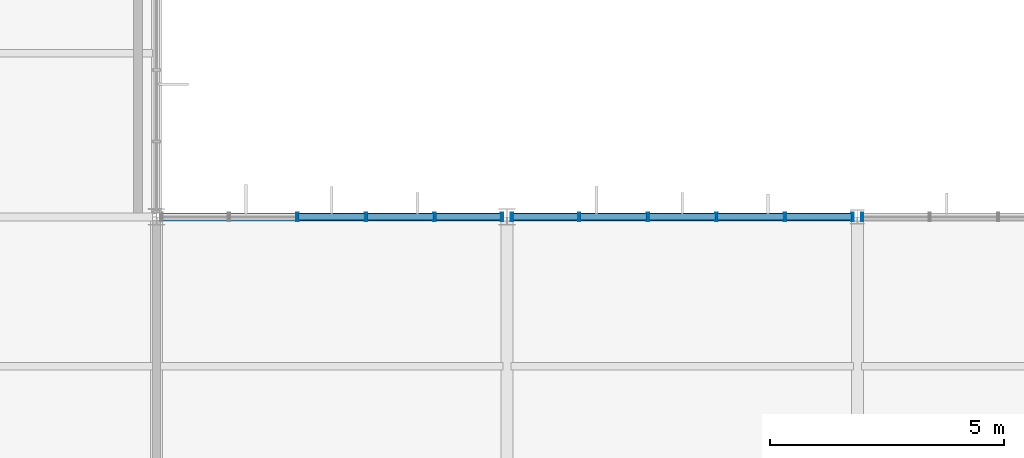
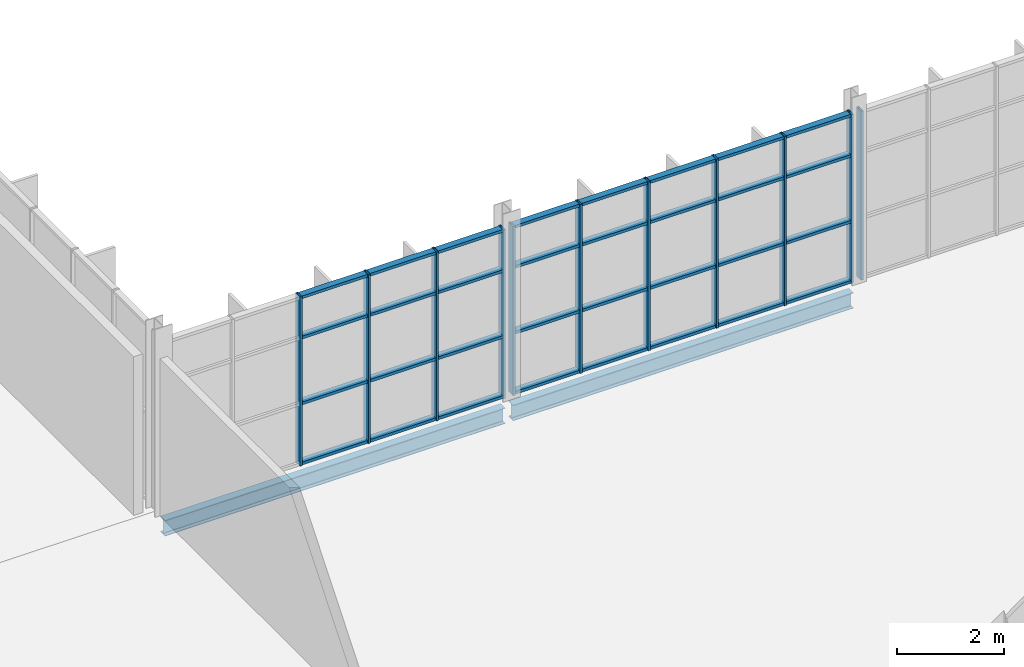
# One storey, part 32 of 324: 43 members, 2 beams, 3 elements without a shape of their own.
"""IFC4 building model written with IfcOpenShell, lengths in metres."""

from ifc_helpers import new_model, si_unit, direction, frame, origin, origin_2d, place, context, subcontext, project, spatial, hollow_rectangle, i_section, extrude, material, layer, layer_set, material_profile, profile_set, type_object, element, aggregate, save


model = new_model("IFC4")

# Units and contexts
model_context = context("Model", 3, precision=1e-05, world=origin(), true_north=direction((0.0, 1.0)))
body_context = subcontext(model_context, "Body", "Model", "MODEL_VIEW")
ifc_project = project(units=[si_unit("LENGTHUNIT", "METRE"), si_unit("AREAUNIT", "SQUARE_METRE"), si_unit("VOLUMEUNIT", "CUBIC_METRE"), si_unit("PLANEANGLEUNIT", "RADIAN"), si_unit("MASSUNIT", "GRAM", prefix="KILO")], contexts=[model_context])

# Site, building, storey
site_placement = place(None, origin())
site = spatial("IfcSite", under=ifc_project, at=site_placement, CompositionType="ELEMENT")
building_placement = place(site_placement, origin())
building = spatial("IfcBuilding", under=site, at=building_placement, Name="Solvenia Promenade Tram Depot", CompositionType="ELEMENT")
storey_placement = place(building_placement, frame((0.0, 0.0, 4.5)))
storey = spatial("IfcBuildingStorey", under=building, at=storey_placement, Name="L01", CompositionType="ELEMENT", Elevation=4.5)

# Curtain wall, members
ifc_material_1 = material(Name="Anodized aluminium AW-6063 T6", Category="aluminium")
ifc_layer = layer(ifc_material_1, 0.14990234375, Name="Anodized aluminium AW-6063 T6", Category="aluminium")
ifc_layer_set = layer_set([ifc_layer], Name="Anodized aluminium AW-6063 T6")
curtain_wall_type = type_object("IfcCurtainWallType", Name="CW-Court-1500", PredefinedType="NOTDEFINED", material=ifc_layer_set)
curtain_wall_1_placement = place(storey_placement, origin())
curtain_wall_1 = element("IfcCurtainWall", 1, at=curtain_wall_1_placement, inside=storey, type_object=curtain_wall_type, Name="Curtain Wall CW-V4N-L01-07", PredefinedType="NOTDEFINED")
ifc_material_profile_1 = material_profile(ifc_material_1, hollow_rectangle(XDim=0.179931640625, YDim=0.050048828125, WallThickness=0.00390625, at=origin_2d()), Name="ALU-M2", Category="aluminium")
ifc_profile_set_1 = profile_set([ifc_material_profile_1], Name="Anodized aluminium AW-6063 T6")
member_type_1 = type_object("IfcMemberType", Name="CWM-Mullion-2", PredefinedType="MULLION", material=ifc_profile_set_1)
member_1_placement = place(storey_placement, frame((48.01611328125, 24.0, 0.0), z_axis=(0.0, 0.0, 1.0), x_axis=(0.0, 1.0, 0.0)))
member_1 = element("IfcMember", 2, at=member_1_placement, type_object=member_type_1, Name="CW-5 mullion 3", PredefinedType="MULLION", context=body_context, shape_type="SweptSolid", body=[
    extrude(hollow_rectangle(XDim=0.179931640625, YDim=0.050048828125, WallThickness=0.00390625, at=origin_2d()), origin(), (0.0, 0.0, 1.0), 3.85009765625),
])
member_2_placement = place(storey_placement, frame((49.48388671875, 24.0, 0.0), z_axis=(0.0, 0.0, 1.0), x_axis=(0.0, 1.0, 0.0)))
member_2 = element("IfcMember", 3, at=member_2_placement, type_object=member_type_1, Name="CW-5 mullion 4", PredefinedType="MULLION", context=body_context, shape_type="SweptSolid", body=[
    extrude(hollow_rectangle(XDim=0.179931640625, YDim=0.050048828125, WallThickness=0.00390625, at=origin_2d()), origin(), (0.0, 0.0, 1.0), 3.85009765625),
])
member_3_placement = place(storey_placement, frame((50.951904296875, 24.0, 0.0), z_axis=(0.0, 0.0, 1.0), x_axis=(0.0, 1.0, 0.0)))
member_3 = element("IfcMember", 4, at=member_3_placement, type_object=member_type_1, Name="CW-5 mullion 5", PredefinedType="MULLION", context=body_context, shape_type="SweptSolid", body=[
    extrude(hollow_rectangle(XDim=0.179931640625, YDim=0.050048828125, WallThickness=0.00390625, at=origin_2d()), origin(), (0.0, 0.0, 1.0), 3.85009765625),
])
member_4_placement = place(storey_placement, frame((52.39501953125, 24.0, 0.0), z_axis=(0.0, 0.0, 1.0), x_axis=(0.0, 1.0, 0.0)))
member_4 = element("IfcMember", 5, at=member_4_placement, type_object=member_type_1, Name="CW-5 mullion 6", PredefinedType="MULLION", context=body_context, shape_type="SweptSolid", body=[
    extrude(hollow_rectangle(XDim=0.179931640625, YDim=0.050048828125, WallThickness=0.00390625, at=origin_2d()), origin(), (0.0, 0.0, 1.0), 3.85009765625),
])

curtain_wall_2_placement = place(storey_placement, origin())
curtain_wall_2 = element("IfcCurtainWall", 6, at=curtain_wall_2_placement, inside=storey, type_object=curtain_wall_type, Name="Curtain Wall CW-V4N-L01-08", PredefinedType="NOTDEFINED")
member_5_placement = place(storey_placement, frame((52.60498046875, 24.0, 0.0), z_axis=(0.0, 0.0, 1.0), x_axis=(0.0, 1.0, 0.0)))
member_5 = element("IfcMember", 7, at=member_5_placement, type_object=member_type_1, Name="CW-5 mullion 1", PredefinedType="MULLION", context=body_context, shape_type="SweptSolid", body=[
    extrude(hollow_rectangle(XDim=0.179931640625, YDim=0.050048828125, WallThickness=0.00390625, at=origin_2d()), origin(), (0.0, 0.0, 1.0), 3.85009765625),
])
member_6_placement = place(storey_placement, frame((54.048095703125, 24.0, 0.0), z_axis=(0.0, 0.0, 1.0), x_axis=(0.0, 1.0, 0.0)))
member_6 = element("IfcMember", 8, at=member_6_placement, type_object=member_type_1, Name="CW-5 mullion 2", PredefinedType="MULLION", context=body_context, shape_type="SweptSolid", body=[
    extrude(hollow_rectangle(XDim=0.179931640625, YDim=0.050048828125, WallThickness=0.00390625, at=origin_2d()), origin(), (0.0, 0.0, 1.0), 3.85009765625),
])
member_7_placement = place(storey_placement, frame((55.51611328125, 24.0, 0.0), z_axis=(0.0, 0.0, 1.0), x_axis=(0.0, 1.0, 0.0)))
member_7 = element("IfcMember", 9, at=member_7_placement, type_object=member_type_1, Name="CW-5 mullion 3", PredefinedType="MULLION", context=body_context, shape_type="SweptSolid", body=[
    extrude(hollow_rectangle(XDim=0.179931640625, YDim=0.050048828125, WallThickness=0.00390625, at=origin_2d()), origin(), (0.0, 0.0, 1.0), 3.85009765625),
])
member_8_placement = place(storey_placement, frame((56.98388671875, 24.0, 0.0), z_axis=(0.0, 0.0, 1.0), x_axis=(0.0, 1.0, 0.0)))
member_8 = element("IfcMember", 10, at=member_8_placement, type_object=member_type_1, Name="CW-5 mullion 4", PredefinedType="MULLION", context=body_context, shape_type="SweptSolid", body=[
    extrude(hollow_rectangle(XDim=0.179931640625, YDim=0.050048828125, WallThickness=0.00390625, at=origin_2d()), origin(), (0.0, 0.0, 1.0), 3.85009765625),
])
member_9_placement = place(storey_placement, frame((58.451904296875, 24.0, 0.0), z_axis=(0.0, 0.0, 1.0), x_axis=(0.0, 1.0, 0.0)))
member_9 = element("IfcMember", 11, at=member_9_placement, type_object=member_type_1, Name="CW-5 mullion 5", PredefinedType="MULLION", context=body_context, shape_type="SweptSolid", body=[
    extrude(hollow_rectangle(XDim=0.179931640625, YDim=0.050048828125, WallThickness=0.00390625, at=origin_2d()), origin(), (0.0, 0.0, 1.0), 3.85009765625),
])
member_10_placement = place(storey_placement, frame((59.89501953125, 24.0, 0.0), z_axis=(0.0, 0.0, 1.0), x_axis=(0.0, 1.0, 0.0)))
member_10 = element("IfcMember", 12, at=member_10_placement, type_object=member_type_1, Name="CW-5 mullion 6", PredefinedType="MULLION", context=body_context, shape_type="SweptSolid", body=[
    extrude(hollow_rectangle(XDim=0.179931640625, YDim=0.050048828125, WallThickness=0.00390625, at=origin_2d()), origin(), (0.0, 0.0, 1.0), 3.85009765625),
])

# Curtain wall, member
curtain_wall_3_placement = place(storey_placement, origin())
curtain_wall_3 = element("IfcCurtainWall", 13, at=curtain_wall_3_placement, inside=storey, type_object=curtain_wall_type, Name="Curtain Wall CW-V4N-L01-09", PredefinedType="NOTDEFINED")
member_11_placement = place(storey_placement, frame((60.10498046875, 24.0, 0.0), z_axis=(0.0, 0.0, 1.0), x_axis=(0.0, 1.0, 0.0)))
member_11 = element("IfcMember", 14, at=member_11_placement, type_object=member_type_1, Name="CW-5 mullion 1", PredefinedType="MULLION", context=body_context, shape_type="SweptSolid", body=[
    extrude(hollow_rectangle(XDim=0.179931640625, YDim=0.050048828125, WallThickness=0.00390625, at=origin_2d()), origin(), (0.0, 0.0, 1.0), 3.85009765625),
])
aggregate(curtain_wall_3, [member_11])

# Member
ifc_material_profile_2 = material_profile(ifc_material_1, hollow_rectangle(XDim=0.139892578125, YDim=0.06494140625, WallThickness=0.00390625, at=origin_2d()), Name="ALU-T2", Category="aluminium")
ifc_profile_set_2 = profile_set([ifc_material_profile_2], Name="Anodized aluminium AW-6063 T6")
member_type_2 = type_object("IfcMemberType", Name="CWT-Transom-2", PredefinedType="USERDEFINED", material=ifc_profile_set_2)
member_12_placement = place(storey_placement, frame((48.041015625, 24.0, 0.032470703125), z_axis=(1.0, 0.0, 0.0), x_axis=(0.0, 1.0, 0.0)))
member_12 = element("IfcMember", 15, at=member_12_placement, type_object=member_type_2, Name="CW-5 transom 3.1", ObjectType="TRANSOM", PredefinedType="USERDEFINED", context=body_context, shape_type="SweptSolid", body=[
    extrude(hollow_rectangle(XDim=0.139892578125, YDim=0.06494140625, WallThickness=0.00390625, at=origin_2d()), origin(), (0.0, 0.0, 1.0), 1.41796875),
])

member_13_placement = place(storey_placement, frame((48.041015625, 24.0, 1.39990234375), z_axis=(1.0, 0.0, 0.0), x_axis=(0.0, 1.0, 0.0)))
member_13 = element("IfcMember", 16, at=member_13_placement, type_object=member_type_2, Name="CW-5 transom 3.2", ObjectType="TRANSOM", PredefinedType="USERDEFINED", context=body_context, shape_type="SweptSolid", body=[
    extrude(hollow_rectangle(XDim=0.139892578125, YDim=0.06494140625, WallThickness=0.00390625, at=origin_2d()), origin(), (0.0, 0.0, 1.0), 1.41796875),
])

member_14_placement = place(storey_placement, frame((48.041015625, 24.0, 2.89990234375), z_axis=(1.0, 0.0, 0.0), x_axis=(0.0, 1.0, 0.0)))
member_14 = element("IfcMember", 17, at=member_14_placement, type_object=member_type_2, Name="CW-5 transom 3.3", ObjectType="TRANSOM", PredefinedType="USERDEFINED", context=body_context, shape_type="SweptSolid", body=[
    extrude(hollow_rectangle(XDim=0.139892578125, YDim=0.06494140625, WallThickness=0.00390625, at=origin_2d()), origin(), (0.0, 0.0, 1.0), 1.41796875),
])

member_15_placement = place(storey_placement, frame((48.041015625, 24.0, 3.8173828125), z_axis=(1.0, 0.0, 0.0), x_axis=(0.0, 1.0, 0.0)))
member_15 = element("IfcMember", 18, at=member_15_placement, type_object=member_type_2, Name="CW-5 transom 3.4", ObjectType="TRANSOM", PredefinedType="USERDEFINED", context=body_context, shape_type="SweptSolid", body=[
    extrude(hollow_rectangle(XDim=0.139892578125, YDim=0.06494140625, WallThickness=0.00390625, at=origin_2d()), origin(), (0.0, 0.0, 1.0), 1.41796875),
])

member_16_placement = place(storey_placement, frame((49.509033203125, 24.0, 0.032470703125), z_axis=(1.0, 0.0, 0.0), x_axis=(0.0, 1.0, 0.0)))
member_16 = element("IfcMember", 19, at=member_16_placement, type_object=member_type_2, Name="CW-5 transom 4.1", ObjectType="TRANSOM", PredefinedType="USERDEFINED", context=body_context, shape_type="SweptSolid", body=[
    extrude(hollow_rectangle(XDim=0.139892578125, YDim=0.06494140625, WallThickness=0.00390625, at=origin_2d()), origin(), (0.0, 0.0, 1.0), 1.41796875),
])

member_17_placement = place(storey_placement, frame((49.509033203125, 24.0, 1.39990234375), z_axis=(1.0, 0.0, 0.0), x_axis=(0.0, 1.0, 0.0)))
member_17 = element("IfcMember", 20, at=member_17_placement, type_object=member_type_2, Name="CW-5 transom 4.2", ObjectType="TRANSOM", PredefinedType="USERDEFINED", context=body_context, shape_type="SweptSolid", body=[
    extrude(hollow_rectangle(XDim=0.139892578125, YDim=0.06494140625, WallThickness=0.00390625, at=origin_2d()), origin(), (0.0, 0.0, 1.0), 1.41796875),
])

member_18_placement = place(storey_placement, frame((49.509033203125, 24.0, 2.89990234375), z_axis=(1.0, 0.0, 0.0), x_axis=(0.0, 1.0, 0.0)))
member_18 = element("IfcMember", 21, at=member_18_placement, type_object=member_type_2, Name="CW-5 transom 4.3", ObjectType="TRANSOM", PredefinedType="USERDEFINED", context=body_context, shape_type="SweptSolid", body=[
    extrude(hollow_rectangle(XDim=0.139892578125, YDim=0.06494140625, WallThickness=0.00390625, at=origin_2d()), origin(), (0.0, 0.0, 1.0), 1.41796875),
])

member_19_placement = place(storey_placement, frame((49.509033203125, 24.0, 3.8173828125), z_axis=(1.0, 0.0, 0.0), x_axis=(0.0, 1.0, 0.0)))
member_19 = element("IfcMember", 22, at=member_19_placement, type_object=member_type_2, Name="CW-5 transom 4.4", ObjectType="TRANSOM", PredefinedType="USERDEFINED", context=body_context, shape_type="SweptSolid", body=[
    extrude(hollow_rectangle(XDim=0.139892578125, YDim=0.06494140625, WallThickness=0.00390625, at=origin_2d()), origin(), (0.0, 0.0, 1.0), 1.41796875),
])

member_20_placement = place(storey_placement, frame((50.97705078125, 24.0, 0.032470703125), z_axis=(1.0, 0.0, 0.0), x_axis=(0.0, 1.0, 0.0)))
member_20 = element("IfcMember", 23, at=member_20_placement, type_object=member_type_2, Name="CW-5 transom 5.1", ObjectType="TRANSOM", PredefinedType="USERDEFINED", context=body_context, shape_type="SweptSolid", body=[
    extrude(hollow_rectangle(XDim=0.139892578125, YDim=0.06494140625, WallThickness=0.00390625, at=origin_2d()), origin(), (0.0, 0.0, 1.0), 1.39306640625),
])

member_21_placement = place(storey_placement, frame((50.97705078125, 24.0, 1.39990234375), z_axis=(1.0, 0.0, 0.0), x_axis=(0.0, 1.0, 0.0)))
member_21 = element("IfcMember", 24, at=member_21_placement, type_object=member_type_2, Name="CW-5 transom 5.2", ObjectType="TRANSOM", PredefinedType="USERDEFINED", context=body_context, shape_type="SweptSolid", body=[
    extrude(hollow_rectangle(XDim=0.139892578125, YDim=0.06494140625, WallThickness=0.00390625, at=origin_2d()), origin(), (0.0, 0.0, 1.0), 1.39306640625),
])

member_22_placement = place(storey_placement, frame((50.97705078125, 24.0, 2.89990234375), z_axis=(1.0, 0.0, 0.0), x_axis=(0.0, 1.0, 0.0)))
member_22 = element("IfcMember", 25, at=member_22_placement, type_object=member_type_2, Name="CW-5 transom 5.3", ObjectType="TRANSOM", PredefinedType="USERDEFINED", context=body_context, shape_type="SweptSolid", body=[
    extrude(hollow_rectangle(XDim=0.139892578125, YDim=0.06494140625, WallThickness=0.00390625, at=origin_2d()), origin(), (0.0, 0.0, 1.0), 1.39306640625),
])

member_23_placement = place(storey_placement, frame((50.97705078125, 24.0, 3.8173828125), z_axis=(1.0, 0.0, 0.0), x_axis=(0.0, 1.0, 0.0)))
member_23 = element("IfcMember", 26, at=member_23_placement, type_object=member_type_2, Name="CW-5 transom 5.4", ObjectType="TRANSOM", PredefinedType="USERDEFINED", context=body_context, shape_type="SweptSolid", body=[
    extrude(hollow_rectangle(XDim=0.139892578125, YDim=0.06494140625, WallThickness=0.00390625, at=origin_2d()), origin(), (0.0, 0.0, 1.0), 1.39306640625),
])

aggregate(curtain_wall_1, [member_1, member_2, member_3, member_4, member_12, member_13, member_14, member_15, member_16, member_17, member_18, member_19, member_20, member_21, member_22, member_23])

member_24_placement = place(storey_placement, frame((52.6298828125, 24.0, 0.032470703125), z_axis=(1.0, 0.0, 0.0), x_axis=(0.0, 1.0, 0.0)))
member_24 = element("IfcMember", 27, at=member_24_placement, type_object=member_type_2, Name="CW-5 transom 1.1", ObjectType="TRANSOM", PredefinedType="USERDEFINED", context=body_context, shape_type="SweptSolid", body=[
    extrude(hollow_rectangle(XDim=0.139892578125, YDim=0.06494140625, WallThickness=0.00390625, at=origin_2d()), origin(), (0.0, 0.0, 1.0), 1.39306640625),
])

member_25_placement = place(storey_placement, frame((52.6298828125, 24.0, 1.39990234375), z_axis=(1.0, 0.0, 0.0), x_axis=(0.0, 1.0, 0.0)))
member_25 = element("IfcMember", 28, at=member_25_placement, type_object=member_type_2, Name="CW-5 transom 1.2", ObjectType="TRANSOM", PredefinedType="USERDEFINED", context=body_context, shape_type="SweptSolid", body=[
    extrude(hollow_rectangle(XDim=0.139892578125, YDim=0.06494140625, WallThickness=0.00390625, at=origin_2d()), origin(), (0.0, 0.0, 1.0), 1.39306640625),
])

member_26_placement = place(storey_placement, frame((52.6298828125, 24.0, 2.89990234375), z_axis=(1.0, 0.0, 0.0), x_axis=(0.0, 1.0, 0.0)))
member_26 = element("IfcMember", 29, at=member_26_placement, type_object=member_type_2, Name="CW-5 transom 1.3", ObjectType="TRANSOM", PredefinedType="USERDEFINED", context=body_context, shape_type="SweptSolid", body=[
    extrude(hollow_rectangle(XDim=0.139892578125, YDim=0.06494140625, WallThickness=0.00390625, at=origin_2d()), origin(), (0.0, 0.0, 1.0), 1.39306640625),
])

member_27_placement = place(storey_placement, frame((52.6298828125, 24.0, 3.8173828125), z_axis=(1.0, 0.0, 0.0), x_axis=(0.0, 1.0, 0.0)))
member_27 = element("IfcMember", 30, at=member_27_placement, type_object=member_type_2, Name="CW-5 transom 1.4", ObjectType="TRANSOM", PredefinedType="USERDEFINED", context=body_context, shape_type="SweptSolid", body=[
    extrude(hollow_rectangle(XDim=0.139892578125, YDim=0.06494140625, WallThickness=0.00390625, at=origin_2d()), origin(), (0.0, 0.0, 1.0), 1.39306640625),
])

member_28_placement = place(storey_placement, frame((54.072998046875, 24.0, 0.032470703125), z_axis=(1.0, 0.0, 0.0), x_axis=(0.0, 1.0, 0.0)))
member_28 = element("IfcMember", 31, at=member_28_placement, type_object=member_type_2, Name="CW-5 transom 2.1", ObjectType="TRANSOM", PredefinedType="USERDEFINED", context=body_context, shape_type="SweptSolid", body=[
    extrude(hollow_rectangle(XDim=0.139892578125, YDim=0.06494140625, WallThickness=0.00390625, at=origin_2d()), origin(), (0.0, 0.0, 1.0), 1.41796875),
])

member_29_placement = place(storey_placement, frame((54.072998046875, 24.0, 1.39990234375), z_axis=(1.0, 0.0, 0.0), x_axis=(0.0, 1.0, 0.0)))
member_29 = element("IfcMember", 32, at=member_29_placement, type_object=member_type_2, Name="CW-5 transom 2.2", ObjectType="TRANSOM", PredefinedType="USERDEFINED", context=body_context, shape_type="SweptSolid", body=[
    extrude(hollow_rectangle(XDim=0.139892578125, YDim=0.06494140625, WallThickness=0.00390625, at=origin_2d()), origin(), (0.0, 0.0, 1.0), 1.41796875),
])

member_30_placement = place(storey_placement, frame((54.072998046875, 24.0, 2.89990234375), z_axis=(1.0, 0.0, 0.0), x_axis=(0.0, 1.0, 0.0)))
member_30 = element("IfcMember", 33, at=member_30_placement, type_object=member_type_2, Name="CW-5 transom 2.3", ObjectType="TRANSOM", PredefinedType="USERDEFINED", context=body_context, shape_type="SweptSolid", body=[
    extrude(hollow_rectangle(XDim=0.139892578125, YDim=0.06494140625, WallThickness=0.00390625, at=origin_2d()), origin(), (0.0, 0.0, 1.0), 1.41796875),
])

member_31_placement = place(storey_placement, frame((54.072998046875, 24.0, 3.8173828125), z_axis=(1.0, 0.0, 0.0), x_axis=(0.0, 1.0, 0.0)))
member_31 = element("IfcMember", 34, at=member_31_placement, type_object=member_type_2, Name="CW-5 transom 2.4", ObjectType="TRANSOM", PredefinedType="USERDEFINED", context=body_context, shape_type="SweptSolid", body=[
    extrude(hollow_rectangle(XDim=0.139892578125, YDim=0.06494140625, WallThickness=0.00390625, at=origin_2d()), origin(), (0.0, 0.0, 1.0), 1.41796875),
])

member_32_placement = place(storey_placement, frame((55.541015625, 24.0, 0.032470703125), z_axis=(1.0, 0.0, 0.0), x_axis=(0.0, 1.0, 0.0)))
member_32 = element("IfcMember", 35, at=member_32_placement, type_object=member_type_2, Name="CW-5 transom 3.1", ObjectType="TRANSOM", PredefinedType="USERDEFINED", context=body_context, shape_type="SweptSolid", body=[
    extrude(hollow_rectangle(XDim=0.139892578125, YDim=0.06494140625, WallThickness=0.00390625, at=origin_2d()), origin(), (0.0, 0.0, 1.0), 1.41796875),
])

member_33_placement = place(storey_placement, frame((55.541015625, 24.0, 1.39990234375), z_axis=(1.0, 0.0, 0.0), x_axis=(0.0, 1.0, 0.0)))
member_33 = element("IfcMember", 36, at=member_33_placement, type_object=member_type_2, Name="CW-5 transom 3.2", ObjectType="TRANSOM", PredefinedType="USERDEFINED", context=body_context, shape_type="SweptSolid", body=[
    extrude(hollow_rectangle(XDim=0.139892578125, YDim=0.06494140625, WallThickness=0.00390625, at=origin_2d()), origin(), (0.0, 0.0, 1.0), 1.41796875),
])

member_34_placement = place(storey_placement, frame((55.541015625, 24.0, 2.89990234375), z_axis=(1.0, 0.0, 0.0), x_axis=(0.0, 1.0, 0.0)))
member_34 = element("IfcMember", 37, at=member_34_placement, type_object=member_type_2, Name="CW-5 transom 3.3", ObjectType="TRANSOM", PredefinedType="USERDEFINED", context=body_context, shape_type="SweptSolid", body=[
    extrude(hollow_rectangle(XDim=0.139892578125, YDim=0.06494140625, WallThickness=0.00390625, at=origin_2d()), origin(), (0.0, 0.0, 1.0), 1.41796875),
])

member_35_placement = place(storey_placement, frame((55.541015625, 24.0, 3.8173828125), z_axis=(1.0, 0.0, 0.0), x_axis=(0.0, 1.0, 0.0)))
member_35 = element("IfcMember", 38, at=member_35_placement, type_object=member_type_2, Name="CW-5 transom 3.4", ObjectType="TRANSOM", PredefinedType="USERDEFINED", context=body_context, shape_type="SweptSolid", body=[
    extrude(hollow_rectangle(XDim=0.139892578125, YDim=0.06494140625, WallThickness=0.00390625, at=origin_2d()), origin(), (0.0, 0.0, 1.0), 1.41796875),
])

member_36_placement = place(storey_placement, frame((57.009033203125, 24.0, 0.032470703125), z_axis=(1.0, 0.0, 0.0), x_axis=(0.0, 1.0, 0.0)))
member_36 = element("IfcMember", 39, at=member_36_placement, type_object=member_type_2, Name="CW-5 transom 4.1", ObjectType="TRANSOM", PredefinedType="USERDEFINED", context=body_context, shape_type="SweptSolid", body=[
    extrude(hollow_rectangle(XDim=0.139892578125, YDim=0.06494140625, WallThickness=0.00390625, at=origin_2d()), origin(), (0.0, 0.0, 1.0), 1.41796875),
])

member_37_placement = place(storey_placement, frame((57.009033203125, 24.0, 1.39990234375), z_axis=(1.0, 0.0, 0.0), x_axis=(0.0, 1.0, 0.0)))
member_37 = element("IfcMember", 40, at=member_37_placement, type_object=member_type_2, Name="CW-5 transom 4.2", ObjectType="TRANSOM", PredefinedType="USERDEFINED", context=body_context, shape_type="SweptSolid", body=[
    extrude(hollow_rectangle(XDim=0.139892578125, YDim=0.06494140625, WallThickness=0.00390625, at=origin_2d()), origin(), (0.0, 0.0, 1.0), 1.41796875),
])

member_38_placement = place(storey_placement, frame((57.009033203125, 24.0, 2.89990234375), z_axis=(1.0, 0.0, 0.0), x_axis=(0.0, 1.0, 0.0)))
member_38 = element("IfcMember", 41, at=member_38_placement, type_object=member_type_2, Name="CW-5 transom 4.3", ObjectType="TRANSOM", PredefinedType="USERDEFINED", context=body_context, shape_type="SweptSolid", body=[
    extrude(hollow_rectangle(XDim=0.139892578125, YDim=0.06494140625, WallThickness=0.00390625, at=origin_2d()), origin(), (0.0, 0.0, 1.0), 1.41796875),
])

member_39_placement = place(storey_placement, frame((57.009033203125, 24.0, 3.8173828125), z_axis=(1.0, 0.0, 0.0), x_axis=(0.0, 1.0, 0.0)))
member_39 = element("IfcMember", 42, at=member_39_placement, type_object=member_type_2, Name="CW-5 transom 4.4", ObjectType="TRANSOM", PredefinedType="USERDEFINED", context=body_context, shape_type="SweptSolid", body=[
    extrude(hollow_rectangle(XDim=0.139892578125, YDim=0.06494140625, WallThickness=0.00390625, at=origin_2d()), origin(), (0.0, 0.0, 1.0), 1.41796875),
])

member_40_placement = place(storey_placement, frame((58.47705078125, 24.0, 0.032470703125), z_axis=(1.0, 0.0, 0.0), x_axis=(0.0, 1.0, 0.0)))
member_40 = element("IfcMember", 43, at=member_40_placement, type_object=member_type_2, Name="CW-5 transom 5.1", ObjectType="TRANSOM", PredefinedType="USERDEFINED", context=body_context, shape_type="SweptSolid", body=[
    extrude(hollow_rectangle(XDim=0.139892578125, YDim=0.06494140625, WallThickness=0.00390625, at=origin_2d()), origin(), (0.0, 0.0, 1.0), 1.39306640625),
])

member_41_placement = place(storey_placement, frame((58.47705078125, 24.0, 1.39990234375), z_axis=(1.0, 0.0, 0.0), x_axis=(0.0, 1.0, 0.0)))
member_41 = element("IfcMember", 44, at=member_41_placement, type_object=member_type_2, Name="CW-5 transom 5.2", ObjectType="TRANSOM", PredefinedType="USERDEFINED", context=body_context, shape_type="SweptSolid", body=[
    extrude(hollow_rectangle(XDim=0.139892578125, YDim=0.06494140625, WallThickness=0.00390625, at=origin_2d()), origin(), (0.0, 0.0, 1.0), 1.39306640625),
])

member_42_placement = place(storey_placement, frame((58.47705078125, 24.0, 2.89990234375), z_axis=(1.0, 0.0, 0.0), x_axis=(0.0, 1.0, 0.0)))
member_42 = element("IfcMember", 45, at=member_42_placement, type_object=member_type_2, Name="CW-5 transom 5.3", ObjectType="TRANSOM", PredefinedType="USERDEFINED", context=body_context, shape_type="SweptSolid", body=[
    extrude(hollow_rectangle(XDim=0.139892578125, YDim=0.06494140625, WallThickness=0.00390625, at=origin_2d()), origin(), (0.0, 0.0, 1.0), 1.39306640625),
])

member_43_placement = place(storey_placement, frame((58.47705078125, 24.0, 3.8173828125), z_axis=(1.0, 0.0, 0.0), x_axis=(0.0, 1.0, 0.0)))
member_43 = element("IfcMember", 46, at=member_43_placement, type_object=member_type_2, Name="CW-5 transom 5.4", ObjectType="TRANSOM", PredefinedType="USERDEFINED", context=body_context, shape_type="SweptSolid", body=[
    extrude(hollow_rectangle(XDim=0.139892578125, YDim=0.06494140625, WallThickness=0.00390625, at=origin_2d()), origin(), (0.0, 0.0, 1.0), 1.39306640625),
])

aggregate(curtain_wall_2, [member_5, member_6, member_7, member_8, member_9, member_10, member_24, member_25, member_26, member_27, member_28, member_29, member_30, member_31, member_32, member_33, member_34, member_35, member_36, member_37, member_38, member_39, member_40, member_41, member_42, member_43])

# Beams
ifc_material_2 = material(Name="Structural steel ASTM A992 Gr. 50", Category="steel")
ifc_material_profile_3 = material_profile(ifc_material_2, i_section(OverallWidth=0.172119140625, OverallDepth=0.35791015625, WebThickness=0.0078125, FlangeThickness=0.01318359375, FilletRadius=0.010986328125, at=origin_2d()), Name="W360x57", Category="steel")
ifc_profile_set_3 = profile_set([ifc_material_profile_3], Name="Structural steel ASTM A992 Gr. 50")
beam_type = type_object("IfcBeamType", Name="Spandrel-W360x57", PredefinedType="SPANDREL", material=ifc_profile_set_3)
for number, where, z_axis, x_axis, name in (
    (47, (45.0849609375, 24.0, -0.39892578125), (1.0, 0.0, 0.0), (0.0, 1.0, 0.0), "Perimeter Spandrel BM-L01-0324"),
    (48, (52.5849609375, 24.0, -0.39892578125), (1.0, 0.0, 0.0), (0.0, 1.0, 0.0), "Perimeter Spandrel BM-L01-0325"),
):
    element("IfcBeam", number, at=place(storey_placement, frame(where, z_axis=z_axis, x_axis=x_axis)), inside=storey, type_object=beam_type, Name=name, PredefinedType="SPANDREL", context=body_context, shape_type="SweptSolid", body=[
        extrude(i_section(OverallWidth=0.172119140625, OverallDepth=0.35791015625, WebThickness=0.0078125, FlangeThickness=0.01318359375, FilletRadius=0.010986328125, at=origin_2d()), origin(), (0.0, 0.0, 1.0), 7.330078125),
    ])

save(model, "model.ifc")
